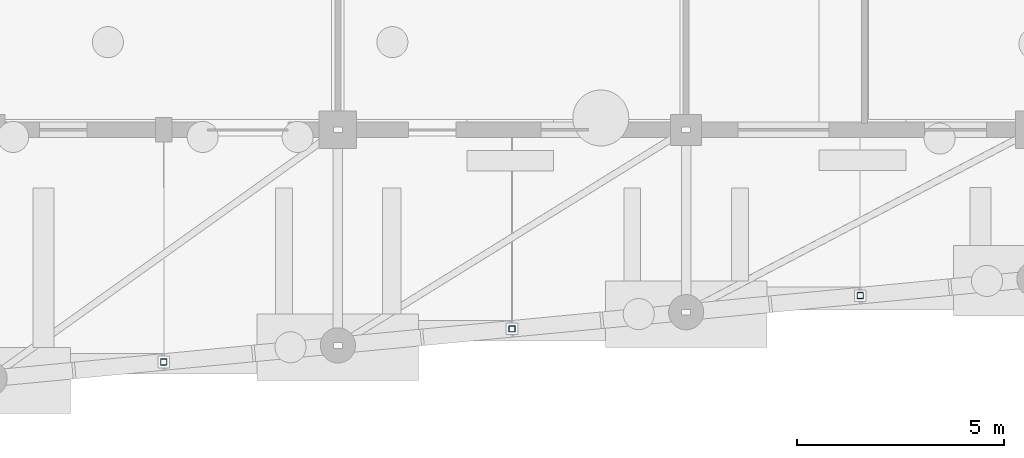
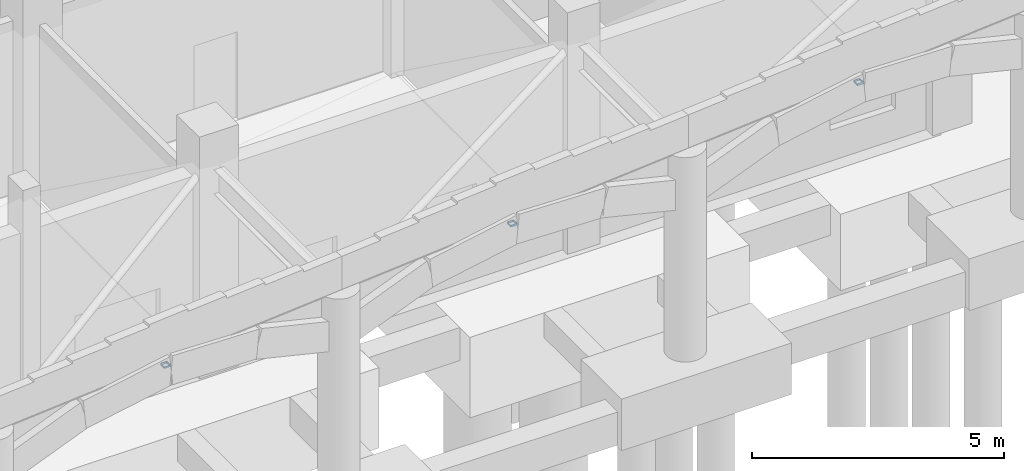
# One storey, part 23 of 60: 3 members.
"""IFC4 building model written with IfcOpenShell, lengths in metres."""

from ifc_helpers import new_model, si_unit, direction, frame, origin, origin_2d, place, context, subcontext, project, spatial, hollow_rectangle, extrude, material, material_profile, profile_set, type_object, element, save


model = new_model("IFC4")

# Units and contexts
model_context = context("Model", 3, precision=1e-05, world=origin(), true_north=direction((0.0, 1.0)))
body_context = subcontext(model_context, "Body", "Model", "MODEL_VIEW")
ifc_project = project(units=[si_unit("LENGTHUNIT", "METRE"), si_unit("AREAUNIT", "SQUARE_METRE"), si_unit("VOLUMEUNIT", "CUBIC_METRE"), si_unit("PLANEANGLEUNIT", "RADIAN"), si_unit("MASSUNIT", "GRAM", prefix="KILO")], contexts=[model_context])

# Site, building, storey
site_placement = place(None, origin())
site = spatial("IfcSite", under=ifc_project, at=site_placement, CompositionType="ELEMENT")
building_placement = place(site_placement, origin())
building = spatial("IfcBuilding", under=site, at=building_placement, Name="Trellovar Central Fire Station", CompositionType="ELEMENT")
storey_placement = place(building_placement, origin())
storey = spatial("IfcBuildingStorey", under=building, at=storey_placement, Name="L01", CompositionType="ELEMENT", Elevation=0.0)

# Members
ifc_material = material(Name="Steel ASTM A500 Grade C", Category="steel")
ifc_material_profile = material_profile(ifc_material, hollow_rectangle(XDim=0.15234375, YDim=0.15234375, WallThickness=0.0087890625, InnerFilletRadius=0.0087890625, OuterFilletRadius=0.017822265625, at=origin_2d()), Name="HSS6X6X3/8")
ifc_profile_set = profile_set([ifc_material_profile], Name="Steel ASTM A500 Grade C")
member_type = type_object("IfcMemberType", Name="MEM-ST1", PredefinedType="STRUT", material=ifc_profile_set)
for number, where, z_axis, x_axis, name in (
    (1, (134.89990234375, 3.39990234375, 4.800048828125), (0.0, 0.0, -1.0), (1.0, 0.0, 0.0), "East concave boulevard parabolic arch 4 keystone post"),
    (2, (143.300048828125, 4.199951171875, 4.800048828125), (0.0, 0.0, -1.0), (1.0, 0.0, 0.0), "East concave boulevard parabolic arch 5 keystone post"),
    (3, (151.699951171875, 5.0, 4.800048828125), (0.0, 0.0, -1.0), (1.0, 0.0, 0.0), "East concave boulevard parabolic arch 6 keystone post"),
):
    element("IfcMember", number, at=place(storey_placement, frame(where, z_axis=z_axis, x_axis=x_axis)), inside=storey, type_object=member_type, Name=name, PredefinedType="STRUT", context=body_context, shape_type="SweptSolid", body=[
        extrude(hollow_rectangle(XDim=0.15234375, YDim=0.15234375, WallThickness=0.0087890625, InnerFilletRadius=0.0087890625, OuterFilletRadius=0.017822265625, at=origin_2d()), origin(), (0.0, 0.0, 1.0), 0.050048828125),
    ])

save(model, "model.ifc")
